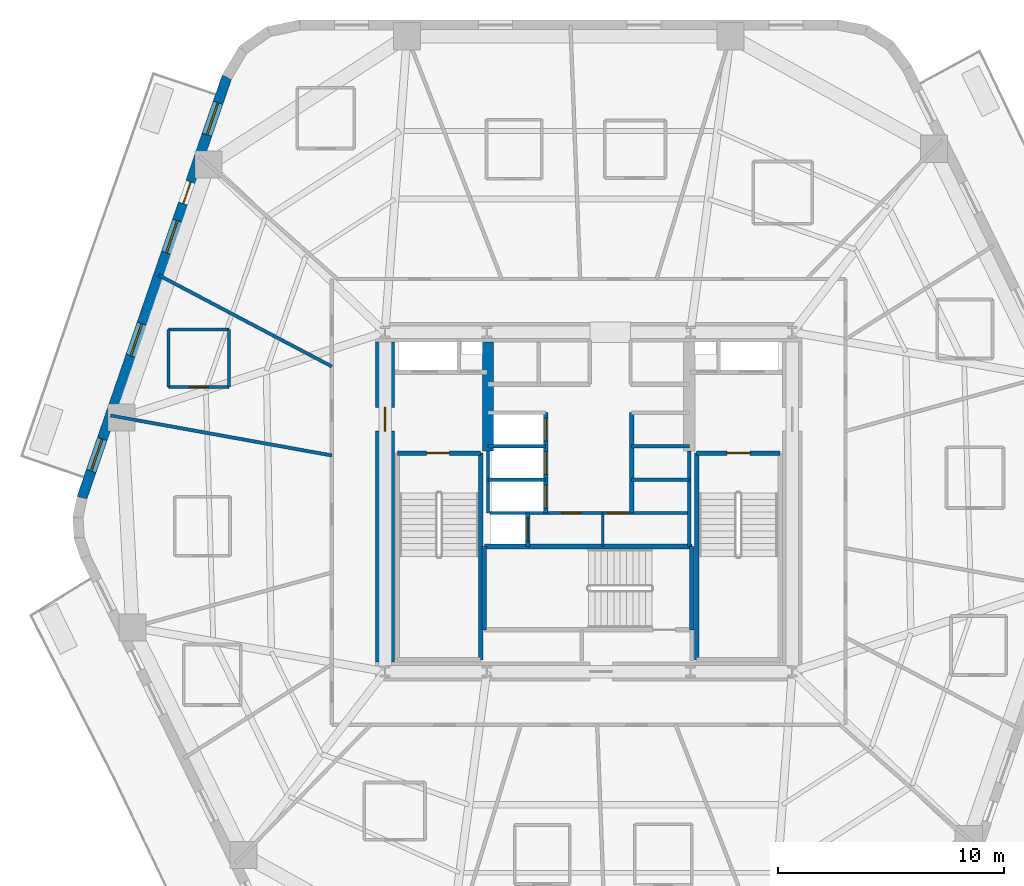
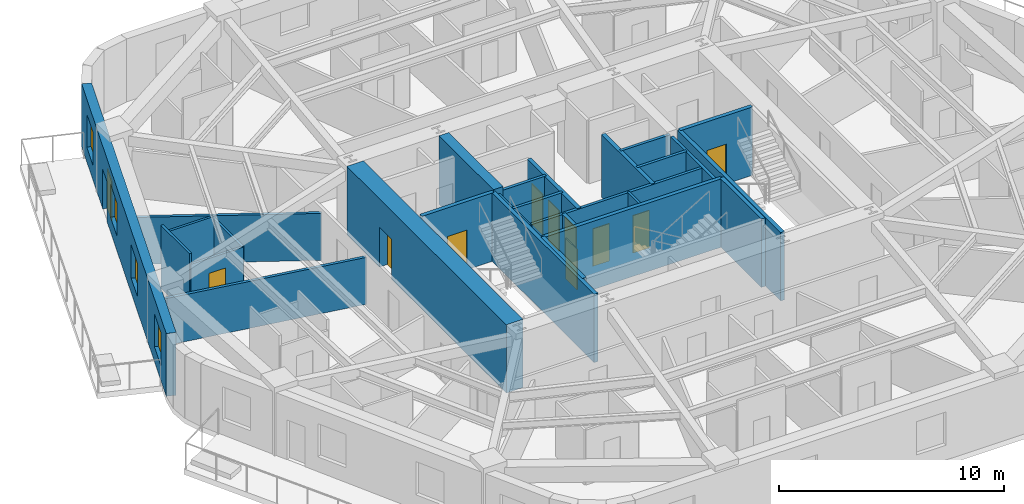
# One storey, part 4 of 10: 27 walls, 11 doors, 4 windows, 15 openings.
"""IFC4 building model written with IfcOpenShell, lengths in metres."""

from ifc_helpers import new_model, si_unit, direction, frame, frame_2d, origin, place, context, subcontext, project, spatial, rectangle, extrude, material, layer, layer_set, type_object, element, fill, save


model = new_model("IFC4")

# Units and contexts
model_context = context("Model", 3, precision=1e-05, world=origin(), true_north=direction((0.0, 1.0)))
body_context = subcontext(model_context, "Body", "Model", "MODEL_VIEW")
ifc_project = project(units=[si_unit("LENGTHUNIT", "METRE"), si_unit("AREAUNIT", "SQUARE_METRE"), si_unit("VOLUMEUNIT", "CUBIC_METRE"), si_unit("PLANEANGLEUNIT", "RADIAN"), si_unit("MASSUNIT", "GRAM", prefix="KILO")], contexts=[model_context])

# Site, building, storey
site_placement = place(None, origin())
site = spatial("IfcSite", under=ifc_project, at=site_placement, CompositionType="ELEMENT")
building_placement = place(site_placement, origin())
building = spatial("IfcBuilding", under=site, at=building_placement, Name="Kilnhurst Terrace Hotel", CompositionType="ELEMENT")
storey_placement = place(building_placement, frame((0.0, 0.0, 117.300048828125)))
storey = spatial("IfcBuildingStorey", under=building, at=storey_placement, Name="L28", CompositionType="ELEMENT", Elevation=117.300048828125)

# Wall, openings, door, windows
ifc_material_1 = material(Name="Precast concrete C40/50", Category="concrete")
ifc_layer_1 = layer(ifc_material_1, 0.449951171875, Name="Precast concrete C40/50")
ifc_layer_set_1 = layer_set([ifc_layer_1], Name="Precast concrete C40/50")
wall_type_1 = type_object("IfcWallType", Name="WL-BRK-450", PredefinedType="SOLIDWALL", material=ifc_layer_set_1)
wall_1_placement = place(storey_placement, frame((-15.992431640625, 18.77685546875, 0.0), z_axis=(0.0, 0.0, 1.0), x_axis=(-0.325606988926, -0.945505202927, 0.0)))
wall_1 = element("IfcWall", 1, at=wall_1_placement, inside=storey, type_object=wall_type_1, Name="L28 Exterior Brick Facade Wall F5", PredefinedType="SOLIDWALL", context=body_context, shape_type="SweptSolid", body=[
    extrude(rectangle(XDim=19.66943359375, YDim=0.449951171875, at=frame_2d((9.834716796875, 0.0))), origin(), (0.0, 0.0, 1.0), 3.39990234375),
])
opening_1_placement = place(wall_1_placement, frame((4.908935546875, 0.0, 0.0)))
opening_1 = element("IfcOpeningElement", 2, at=opening_1_placement, cuts=wall_1, Name="Opening BD-1000", PredefinedType="OPENING", context=body_context, shape_type="SweptSolid", body=[
    extrude(rectangle(XDim=1.0, YDim=2.14990234375, at=frame_2d((0.5, 1.074951171875))), frame((0.0, 0.23486328125, 0.0), z_axis=(0.0, -1.0, 0.0), x_axis=(1.0, 0.0, 0.0)), (0.0, 0.0, 1.0), 0.469970703125),
])
opening_2_placement = place(wall_1_placement, frame((1.197021484375, 0.0, 0.800048828125)))
opening_2 = element("IfcOpeningElement", 3, at=opening_2_placement, cuts=wall_1, Name="Opening W-02", PredefinedType="OPENING", context=body_context, shape_type="SweptSolid", body=[
    extrude(rectangle(XDim=1.5, YDim=1.800048828125, at=frame_2d((0.75, 0.89990234375))), frame((0.0, 0.23486328125, 0.0), z_axis=(0.0, -1.0, 0.0), x_axis=(1.0, 0.0, 0.0)), (0.0, 0.0, 1.0), 0.469970703125),
])
opening_3_placement = place(wall_1_placement, frame((6.714111328125, 0.0, 0.800048828125)))
opening_3 = element("IfcOpeningElement", 4, at=opening_3_placement, cuts=wall_1, Name="Opening W-02", PredefinedType="OPENING", context=body_context, shape_type="SweptSolid", body=[
    extrude(rectangle(XDim=1.5, YDim=1.800048828125, at=frame_2d((0.75, 0.89990234375))), frame((0.0, 0.23486328125, 0.0), z_axis=(0.0, -1.0, 0.0), x_axis=(1.0, 0.0, 0.0)), (0.0, 0.0, 1.0), 0.469970703125),
])
opening_4_placement = place(wall_1_placement, frame((11.530029296875, 0.0, 0.800048828125)))
opening_4 = element("IfcOpeningElement", 5, at=opening_4_placement, cuts=wall_1, Name="Opening W-02", PredefinedType="OPENING", context=body_context, shape_type="SweptSolid", body=[
    extrude(rectangle(XDim=1.5, YDim=1.800048828125, at=frame_2d((0.75, 0.89990234375))), frame((0.0, 0.23486328125, 0.0), z_axis=(0.0, -1.0, 0.0), x_axis=(1.0, 0.0, 0.0)), (0.0, 0.0, 1.0), 0.469970703125),
])
opening_5_placement = place(wall_1_placement, frame((16.91796875, 0.0, 0.800048828125)))
opening_5 = element("IfcOpeningElement", 6, at=opening_5_placement, cuts=wall_1, Name="Opening W-02", PredefinedType="OPENING", context=body_context, shape_type="SweptSolid", body=[
    extrude(rectangle(XDim=1.5, YDim=1.800048828125, at=frame_2d((0.75, 0.89990234375))), frame((0.0, 0.23486328125, 0.0), z_axis=(0.0, -1.0, 0.0), x_axis=(1.0, 0.0, 0.0)), (0.0, 0.0, 1.0), 0.469970703125),
])
ifc_material_2 = material(Name="Thermally Broken Bronze Aluminium Alloy 6063-T6 and Laminated Glass", Category="aluminium")
door_type_1 = type_object("IfcDoorType", Name="DR-EXT-BAL-1000", OperationType="NOTDEFINED", PredefinedType="DOOR", material=ifc_material_2)
door_1_placement = place(opening_1_placement, origin())
door_1 = element("IfcDoor", 7, at=door_1_placement, inside=storey, type_object=door_type_1, Name="L28 Planted Balcony Door BAL-L2A", OperationType="SINGLE_SWING_LEFT", OverallHeight=2.14990234375, OverallWidth=1.0, PredefinedType="DOOR", context=body_context, shape_type="SweptSolid", body=[
    extrude(rectangle(XDim=1.0, YDim=2.14990234375, at=frame_2d((0.5, 1.074951171875))), frame((0.0, 0.02490234375, 0.0), z_axis=(0.0, -1.0, 0.0), x_axis=(1.0, 0.0, 0.0)), (0.0, 0.0, 1.0), 0.050048828125),
])
fill(opening_1, door_1)
ifc_material_3 = material(Name="Thermally Broken Bronze Aluminium Alloy 6063-T6 and Low-E Glass", Category="aluminium")
window_type = type_object("IfcWindowType", Name="WIN-1500X1800", PartitioningType="SINGLE_PANEL", PredefinedType="WINDOW", material=ifc_material_3)
window_1_placement = place(opening_2_placement, origin())
window_1 = element("IfcWindow", 8, at=window_1_placement, inside=storey, type_object=window_type, Name="L28 Deep-Set Masonry Window F5.1", OverallHeight=1.800048828125, OverallWidth=1.5, PartitioningType="SINGLE_PANEL", PredefinedType="WINDOW", context=body_context, shape_type="SweptSolid", body=[
    extrude(rectangle(XDim=1.5, YDim=1.800048828125, at=frame_2d((0.75, 0.89990234375))), frame((0.0, 0.030029296875, 0.0), z_axis=(0.0, -1.0, 0.0), x_axis=(1.0, 0.0, 0.0)), (0.0, 0.0, 1.0), 0.06005859375),
])
fill(opening_2, window_1)
window_2_placement = place(opening_3_placement, origin())
window_2 = element("IfcWindow", 9, at=window_2_placement, inside=storey, type_object=window_type, Name="L28 Deep-Set Masonry Window F5.2", OverallHeight=1.800048828125, OverallWidth=1.5, PartitioningType="SINGLE_PANEL", PredefinedType="WINDOW", context=body_context, shape_type="SweptSolid", body=[
    extrude(rectangle(XDim=1.5, YDim=1.800048828125, at=frame_2d((0.75, 0.89990234375))), frame((0.0, 0.030029296875, 0.0), z_axis=(0.0, -1.0, 0.0), x_axis=(1.0, 0.0, 0.0)), (0.0, 0.0, 1.0), 0.06005859375),
])
fill(opening_3, window_2)
window_3_placement = place(opening_4_placement, origin())
window_3 = element("IfcWindow", 10, at=window_3_placement, inside=storey, type_object=window_type, Name="L28 Deep-Set Masonry Window F5.3", OverallHeight=1.800048828125, OverallWidth=1.5, PartitioningType="SINGLE_PANEL", PredefinedType="WINDOW", context=body_context, shape_type="SweptSolid", body=[
    extrude(rectangle(XDim=1.5, YDim=1.800048828125, at=frame_2d((0.75, 0.89990234375))), frame((0.0, 0.030029296875, 0.0), z_axis=(0.0, -1.0, 0.0), x_axis=(1.0, 0.0, 0.0)), (0.0, 0.0, 1.0), 0.06005859375),
])
fill(opening_4, window_3)
window_4_placement = place(opening_5_placement, origin())
window_4 = element("IfcWindow", 11, at=window_4_placement, inside=storey, type_object=window_type, Name="L28 Deep-Set Masonry Window F5.4", OverallHeight=1.800048828125, OverallWidth=1.5, PartitioningType="SINGLE_PANEL", PredefinedType="WINDOW", context=body_context, shape_type="SweptSolid", body=[
    extrude(rectangle(XDim=1.5, YDim=1.800048828125, at=frame_2d((0.75, 0.89990234375))), frame((0.0, 0.030029296875, 0.0), z_axis=(0.0, -1.0, 0.0), x_axis=(1.0, 0.0, 0.0)), (0.0, 0.0, 1.0), 0.06005859375),
])
fill(opening_5, window_4)

# Wall, opening, door
ifc_material_4 = material(Name="Concrete C80/95", Category="concrete")
ifc_layer_2 = layer(ifc_material_4, 0.85009765625, Name="Concrete C80/95")
ifc_layer_set_2 = layer_set([ifc_layer_2], Name="Concrete C80/95")
wall_type_2 = type_object("IfcWallType", Name="WL-CORE-850", PredefinedType="SHEAR", material=ifc_layer_set_2)
wall_2_placement = place(storey_placement, frame((-9.0, -7.074951171875, 0.0), z_axis=(0.0, 0.0, 1.0), x_axis=(0.0, 1.0, 0.0)))
wall_2 = element("IfcWall", 12, at=wall_2_placement, inside=storey, type_object=wall_type_2, Name="L28 Core West Shear Wall", PredefinedType="SHEAR", context=body_context, shape_type="SweptSolid", body=[
    extrude(rectangle(XDim=14.14990234375, YDim=0.85009765625, at=frame_2d((7.074951171875, 0.0))), origin(), (0.0, 0.0, 1.0), 3.699951171875),
])
opening_6_placement = place(wall_2_placement, frame((10.199951171875, 0.0, 0.0)))
opening_6 = element("IfcOpeningElement", 13, at=opening_6_placement, cuts=wall_2, Name="Opening D-90A", PredefinedType="OPENING", context=body_context, shape_type="SweptSolid", body=[
    extrude(rectangle(XDim=1.050048828125, YDim=2.14990234375, at=frame_2d((0.52490234375, 1.074951171875))), frame((0.0, 0.43505859375, 0.0), z_axis=(0.0, -1.0, 0.0), x_axis=(1.0, 0.0, 0.0)), (0.0, 0.0, 1.0), 0.8701171875),
])
ifc_material_5 = material(Name="Painted Hollow Metal Steel ASTM A36 Fire Door", Category="steel")
door_type_2 = type_object("IfcDoorType", Name="DR-FD90-1050", OperationType="NOTDEFINED", PredefinedType="DOOR", material=ifc_material_5)
door_2_placement = place(opening_6_placement, origin())
door_2 = element("IfcDoor", 14, at=door_2_placement, inside=storey, type_object=door_type_2, Name="L28 West Firefighting Lobby Door", OperationType="SINGLE_SWING_RIGHT", OverallHeight=2.14990234375, OverallWidth=1.050048828125, PredefinedType="DOOR", context=body_context, shape_type="SweptSolid", body=[
    extrude(rectangle(XDim=1.050048828125, YDim=2.14990234375, at=frame_2d((0.52490234375, 1.074951171875))), frame((0.0, 0.02490234375, 0.0), z_axis=(0.0, -1.0, 0.0), x_axis=(1.0, 0.0, 0.0)), (0.0, 0.0, 1.0), 0.050048828125),
])
fill(opening_6, door_2)

# Walls
ifc_material_6 = material(Name="Concrete C60/75", Category="concrete")
ifc_layer_3 = layer(ifc_material_6, 0.5, Name="Concrete C60/75")
ifc_layer_set_3 = layer_set([ifc_layer_3], Name="Concrete C60/75")
wall_type_3 = type_object("IfcWallType", Name="WL-CORE-WEB-500", PredefinedType="SHEAR", material=ifc_layer_set_3)
wall_3_placement = place(storey_placement, frame((-4.449951171875, 2.25, 0.0), z_axis=(0.0, 0.0, 1.0), x_axis=(0.0, 1.0, 0.0)))
element("IfcWall", 15, at=wall_3_placement, inside=storey, type_object=wall_type_3, Name="L28 Core Internal West Shear Web", PredefinedType="SHEAR", context=body_context, shape_type="SweptSolid", body=[
    extrude(rectangle(XDim=4.824951171875, YDim=0.5, at=frame_2d((2.41259765625, 0.0))), origin(), (0.0, 0.0, 1.0), 3.699951171875),
])
ifc_material_7 = material(Name="STC-58 Acoustic Twin-Frame Guestroom Demising Partition")
ifc_layer_4 = layer(ifc_material_7, 0.14990234375, Name="STC-58 Acoustic Twin-Frame Guestroom Demising Partition")
ifc_layer_set_4 = layer_set([ifc_layer_4], Name="STC-58 Acoustic Twin-Frame Guestroom Demising Partition")
wall_type_4 = type_object("IfcWallType", Name="WL-DEM-150", PredefinedType="PARTITIONING", material=ifc_layer_set_4)
wall_4_placement = place(storey_placement, frame((-11.35009765625, 5.9833984375, 0.0), z_axis=(0.0, 0.0, 1.0), x_axis=(-0.884597447182, 0.466355397137, 0.0)))
element("IfcWall", 16, at=wall_4_placement, inside=storey, type_object=wall_type_4, Name="L28 Interior Wall WL-L28-DEM-MID05-08-1", PredefinedType="PARTITIONING", context=body_context, shape_type="SweptSolid", body=[
    extrude(rectangle(XDim=8.65673828125, YDim=0.14990234375, at=frame_2d((4.328369140625, 0.0))), origin(), (0.0, 0.0, 1.0), 2.5400390625),
])
wall_5_placement = place(storey_placement, frame((-11.35009765625, 2.05078125, 0.0), z_axis=(0.0, 0.0, 1.0), x_axis=(-0.984068313063, 0.177790762484, 0.0)))
element("IfcWall", 17, at=wall_5_placement, inside=storey, type_object=wall_type_4, Name="L28 Interior Wall WL-L28-DEM-COL06-09-1", PredefinedType="PARTITIONING", context=body_context, shape_type="SweptSolid", body=[
    extrude(rectangle(XDim=9.951416015625, YDim=0.14990234375, at=frame_2d((4.9755859375, 0.0))), origin(), (0.0, 0.0, 1.0), 2.5400390625),
])
ifc_material_8 = material(Name="120 mm Moisture-Resistant Tile-Backed Bathroom Partition")
ifc_layer_5 = layer(ifc_material_8, 0.1201171875, Name="120 mm Moisture-Resistant Tile-Backed Bathroom Partition")
ifc_layer_set_5 = layer_set([ifc_layer_5], Name="120 mm Moisture-Resistant Tile-Backed Bathroom Partition")
wall_type_5 = type_object("IfcWallType", Name="WL-PART-120", PredefinedType="PARTITIONING", material=ifc_layer_set_5)
wall_6_placement = place(storey_placement, frame((0.6201171875, -1.971923828125, 0.0), z_axis=(0.0, 0.0, 1.0), x_axis=(0.0, 1.0, 0.0)))
element("IfcWall", 18, at=wall_6_placement, inside=storey, type_object=wall_type_5, Name="L28 Interior Wall WL-L28-BOH-C1", PredefinedType="PARTITIONING", context=body_context, shape_type="SweptSolid", body=[
    extrude(rectangle(XDim=1.471923828125, YDim=0.1201171875, at=frame_2d((0.73583984375, 0.0))), origin(), (0.0, 0.0, 1.0), 3.39990234375),
])

# Wall, opening, door
wall_7_placement = place(storey_placement, frame((-18.574951171875, 5.0810546875, 0.0), z_axis=(0.0, 0.0, 1.0), x_axis=(1.0, 0.0, 0.0)))
wall_7 = element("IfcWall", 19, at=wall_7_placement, inside=storey, type_object=wall_type_5, Name="L28 Interior Wall WL-L28-BTH-08-1", PredefinedType="PARTITIONING", context=body_context, shape_type="SweptSolid", body=[
    extrude(rectangle(XDim=2.679931640625, YDim=0.1201171875, at=frame_2d((1.33984375, 0.0))), origin(), (0.0, 0.0, 1.0), 2.83984375),
])
opening_7_placement = place(wall_7_placement, frame((0.9150390625, 0.0, 0.0)))
opening_7 = element("IfcOpeningElement", 20, at=opening_7_placement, cuts=wall_7, Name="Opening D-08A", PredefinedType="OPENING", context=body_context, shape_type="SweptSolid", body=[
    extrude(rectangle(XDim=0.85009765625, YDim=2.030029296875, at=frame_2d((0.425048828125, 1.01513671875))), frame((0.0, 0.070068359375, 0.0), z_axis=(0.0, -1.0, 0.0), x_axis=(1.0, 0.0, 0.0)), (0.0, 0.0, 1.0), 0.14013671875),
])
ifc_material_9 = material(Name="Moisture-Resistant Lacquered En-suite Bathroom Door")
door_type_3 = type_object("IfcDoorType", Name="DR-INT-850", OperationType="NOTDEFINED", PredefinedType="DOOR", material=ifc_material_9)
door_3_placement = place(opening_7_placement, origin())
door_3 = element("IfcDoor", 21, at=door_3_placement, inside=storey, type_object=door_type_3, Name="L28 En-suite Bathroom Door 8", OperationType="SINGLE_SWING_LEFT", OverallHeight=2.030029296875, OverallWidth=0.85009765625, PredefinedType="DOOR", context=body_context, shape_type="SweptSolid", body=[
    extrude(rectangle(XDim=0.85009765625, YDim=2.030029296875, at=frame_2d((0.425048828125, 1.01513671875))), frame((0.0, 0.02490234375, 0.0), z_axis=(0.0, -1.0, 0.0), x_axis=(1.0, 0.0, 0.0)), (0.0, 0.0, 1.0), 0.050048828125),
])
fill(opening_7, door_3)

# Walls
wall_8_placement = place(storey_placement, frame((-15.89501953125, 5.0810546875, 0.0), z_axis=(0.0, 0.0, 1.0), x_axis=(0.0, 1.0, 0.0)))
element("IfcWall", 22, at=wall_8_placement, inside=storey, type_object=wall_type_5, Name="L28 Interior Wall WL-L28-BTH-08-2", PredefinedType="PARTITIONING", context=body_context, shape_type="SweptSolid", body=[
    extrude(rectangle(XDim=2.5400390625, YDim=0.1201171875, at=frame_2d((1.27001953125, 0.0))), origin(), (0.0, 0.0, 1.0), 2.83984375),
])
wall_9_placement = place(storey_placement, frame((-15.89501953125, 7.62109375, 0.0), z_axis=(0.0, 0.0, 1.0), x_axis=(-1.0, 0.0, 0.0)))
element("IfcWall", 23, at=wall_9_placement, inside=storey, type_object=wall_type_5, Name="L28 Interior Wall WL-L28-BTH-08-3", PredefinedType="PARTITIONING", context=body_context, shape_type="SweptSolid", body=[
    extrude(rectangle(XDim=2.679931640625, YDim=0.1201171875, at=frame_2d((1.33984375, 0.0))), origin(), (0.0, 0.0, 1.0), 2.97216796875),
])
wall_10_placement = place(storey_placement, frame((-18.574951171875, 7.62109375, 0.0), z_axis=(0.0, 0.0, 1.0), x_axis=(0.0, -1.0, 0.0)))
element("IfcWall", 24, at=wall_10_placement, inside=storey, type_object=wall_type_5, Name="L28 Interior Wall WL-L28-BTH-08-4", PredefinedType="PARTITIONING", context=body_context, shape_type="SweptSolid", body=[
    extrude(rectangle(XDim=2.5400390625, YDim=0.1201171875, at=frame_2d((1.27001953125, 0.0))), origin(), (0.0, 0.0, 1.0), 3.39990234375),
])
ifc_material_10 = material(Name="Fire-Rated Gypsum Shaftliner Assembly")
ifc_layer_6 = layer(ifc_material_10, 0.14990234375, Name="Fire-Rated Gypsum Shaftliner Assembly")
ifc_layer_set_6 = layer_set([ifc_layer_6], Name="Fire-Rated Gypsum Shaftliner Assembly")
wall_type_6 = type_object("IfcWallType", Name="WL-SHAFT-150", PredefinedType="PARTITIONING", material=ifc_layer_set_6)
wall_11_placement = place(storey_placement, frame((-4.449951171875, -0.5, 0.0), z_axis=(0.0, 0.0, 1.0), x_axis=(0.0, 1.0, 0.0)))
element("IfcWall", 25, at=wall_11_placement, inside=storey, type_object=wall_type_6, Name="L28 Interior Wall WL-L28-XLOB-W", PredefinedType="PARTITIONING", context=body_context, shape_type="SweptSolid", body=[
    extrude(rectangle(XDim=2.75, YDim=0.14990234375, at=frame_2d((1.375, 0.0))), origin(), (0.0, 0.0, 1.0), 3.39990234375),
])
wall_12_placement = place(storey_placement, frame((4.449951171875, -1.971923828125, 0.0), z_axis=(0.0, 0.0, 1.0), x_axis=(0.0, 1.0, 0.0)))
element("IfcWall", 26, at=wall_12_placement, inside=storey, type_object=wall_type_6, Name="L28 Interior Wall WL-L28-XLOB-E", PredefinedType="PARTITIONING", context=body_context, shape_type="SweptSolid", body=[
    extrude(rectangle(XDim=4.221923828125, YDim=0.14990234375, at=frame_2d((2.11083984375, 0.0))), origin(), (0.0, 0.0, 1.0), 3.39990234375),
])
for number, where, z_axis, x_axis, name in (
    (27, (-4.449951171875, 0.97998046875, 0.0), (0.0, 0.0, 1.0), (1.0, 0.0, 0.0), "L28 Interior Wall WL-L28-LR-D1"),
    (28, (-4.449951171875, 2.4599609375, 0.0), (0.0, 0.0, 1.0), (1.0, 0.0, 0.0), "L28 Interior Wall WL-L28-LR-D2"),
    (29, (1.89990234375, 0.97998046875, 0.0), (0.0, 0.0, 1.0), (1.0, 0.0, 0.0), "L28 Interior Wall WL-L28-MR-D1"),
    (30, (1.89990234375, 2.4599609375, 0.0), (0.0, 0.0, 1.0), (1.0, 0.0, 0.0), "L28 Interior Wall WL-L28-MR-D2"),
):
    element("IfcWall", number, at=place(storey_placement, frame(where, z_axis=z_axis, x_axis=x_axis)), inside=storey, type_object=wall_type_6, Name=name, PredefinedType="PARTITIONING", context=body_context, shape_type="SweptSolid", body=[
        extrude(rectangle(XDim=2.550048828125, YDim=0.14990234375, at=frame_2d((1.27490234375, 0.0))), origin(), (0.0, 0.0, 1.0), 3.39990234375),
    ])

# Wall, openings, doors
wall_13_placement = place(storey_placement, frame((-4.360107421875, -0.489990234375, 0.0), z_axis=(0.0, 0.0, 1.0), x_axis=(1.0, 0.0, 0.0)))
wall_13 = element("IfcWall", 31, at=wall_13_placement, inside=storey, type_object=wall_type_6, Name="L28 Interior Wall WL-L28-BOH-N", PredefinedType="PARTITIONING", context=body_context, shape_type="SweptSolid", body=[
    extrude(rectangle(XDim=8.72021484375, YDim=0.14990234375, at=frame_2d((4.360107421875, 0.0))), origin(), (0.0, 0.0, 1.0), 3.39990234375),
])
opening_8_placement = place(wall_13_placement, frame((3.159912109375, 0.0, 0.0)))
opening_8 = element("IfcOpeningElement", 32, at=opening_8_placement, cuts=wall_13, Name="Opening D-60D", PredefinedType="OPENING", context=body_context, shape_type="SweptSolid", body=[
    extrude(rectangle(XDim=0.85009765625, YDim=2.030029296875, at=frame_2d((0.425048828125, 1.01513671875))), frame((0.0, 0.0849609375, 0.0), z_axis=(0.0, -1.0, 0.0), x_axis=(1.0, 0.0, 0.0)), (0.0, 0.0, 1.0), 0.169921875),
])
opening_9_placement = place(wall_13_placement, frame((5.2099609375, 0.0, 0.0)))
opening_9 = element("IfcOpeningElement", 33, at=opening_9_placement, cuts=wall_13, Name="Opening D-60D", PredefinedType="OPENING", context=body_context, shape_type="SweptSolid", body=[
    extrude(rectangle(XDim=0.85009765625, YDim=2.030029296875, at=frame_2d((0.425048828125, 1.01513671875))), frame((0.0, 0.0849609375, 0.0), z_axis=(0.0, -1.0, 0.0), x_axis=(1.0, 0.0, 0.0)), (0.0, 0.0, 1.0), 0.169921875),
])
ifc_material_11 = material(Name="Painted Hollow Metal Steel ASTM A36 Riser Door", Category="steel")
door_type_4 = type_object("IfcDoorType", Name="DR-FD60-850", OperationType="NOTDEFINED", PredefinedType="DOOR", material=ifc_material_11)
door_4_placement = place(opening_8_placement, origin())
door_4 = element("IfcDoor", 34, at=door_4_placement, inside=storey, type_object=door_type_4, Name="L28 Housekeeping Laundry Door", OperationType="SINGLE_SWING_LEFT", OverallHeight=2.030029296875, OverallWidth=0.85009765625, PredefinedType="DOOR", context=body_context, shape_type="SweptSolid", body=[
    extrude(rectangle(XDim=0.85009765625, YDim=2.030029296875, at=frame_2d((0.425048828125, 1.01513671875))), frame((0.0, 0.02490234375, 0.0), z_axis=(0.0, -1.0, 0.0), x_axis=(1.0, 0.0, 0.0)), (0.0, 0.0, 1.0), 0.050048828125),
])
fill(opening_8, door_4)
door_5_placement = place(opening_9_placement, origin())
door_5 = element("IfcDoor", 35, at=door_5_placement, inside=storey, type_object=door_type_4, Name="L28 Room Service Kitchen Door", OperationType="SINGLE_SWING_RIGHT", OverallHeight=2.030029296875, OverallWidth=0.85009765625, PredefinedType="DOOR", context=body_context, shape_type="SweptSolid", body=[
    extrude(rectangle(XDim=0.85009765625, YDim=2.030029296875, at=frame_2d((0.425048828125, 1.01513671875))), frame((0.0, 0.02490234375, 0.0), z_axis=(0.0, -1.0, 0.0), x_axis=(1.0, 0.0, 0.0)), (0.0, 0.0, 1.0), 0.050048828125),
])
fill(opening_9, door_5)

# Wall, opening, door
ifc_material_12 = material(Name="Autoclaved Aerated Concrete C30/37 and Gypsum Shaft Assembly", Category="concrete")
ifc_layer_7 = layer(ifc_material_12, 0.199951171875, Name="Autoclaved Aerated Concrete C30/37 and Gypsum Shaft Assembly")
ifc_layer_set_7 = layer_set([ifc_layer_7], Name="Autoclaved Aerated Concrete C30/37 and Gypsum Shaft Assembly")
wall_type_7 = type_object("IfcWallType", Name="WL-SHAFT-200", PredefinedType="PARTITIONING", material=ifc_layer_set_7)
wall_14_placement = place(storey_placement, frame((-2.699951171875, -1.971923828125, 0.0), z_axis=(0.0, 0.0, 1.0), x_axis=(0.0, 1.0, 0.0)))
wall_14 = element("IfcWall", 36, at=wall_14_placement, inside=storey, type_object=wall_type_7, Name="L28 Interior Wall WL-L28-SRV1-E", PredefinedType="PARTITIONING", context=body_context, shape_type="SweptSolid", body=[
    extrude(rectangle(XDim=1.471923828125, YDim=0.199951171875, at=frame_2d((0.73583984375, 0.0))), origin(), (0.0, 0.0, 1.0), 3.39990234375),
])
opening_10_placement = place(wall_14_placement, frame((0.239990234375, 0.0, 0.0)))
opening_10 = element("IfcOpeningElement", 37, at=opening_10_placement, cuts=wall_14, Name="Opening LD-SV", PredefinedType="OPENING", context=body_context, shape_type="SweptSolid", body=[
    extrude(rectangle(XDim=1.0, YDim=2.199951171875, at=frame_2d((0.5, 1.10009765625))), frame((0.0, 0.10986328125, 0.0), z_axis=(0.0, -1.0, 0.0), x_axis=(1.0, 0.0, 0.0)), (0.0, 0.0, 1.0), 0.219970703125),
])
ifc_material_13 = material(Name="Bronze-Anodized Stainless Steel AISI 316L Sliding Door", Category="steel")
door_type_5 = type_object("IfcDoorType", Name="DR-LIFT-1000", OperationType="NOTDEFINED", PredefinedType="DOOR", material=ifc_material_13)
door_6_placement = place(opening_10_placement, origin())
door_6 = element("IfcDoor", 38, at=door_6_placement, inside=storey, type_object=door_type_5, Name="L28 Service Lift SRV-1 Landing Door", OperationType="SLIDING_TO_LEFT", OverallHeight=2.199951171875, OverallWidth=1.0, PredefinedType="DOOR", context=body_context, shape_type="SweptSolid", body=[
    extrude(rectangle(XDim=1.0, YDim=2.199951171875, at=frame_2d((0.5, 1.10009765625))), frame((0.0, 0.02490234375, 0.0), z_axis=(0.0, -1.0, 0.0), x_axis=(1.0, 0.0, 0.0)), (0.0, 0.0, 1.0), 0.050048828125),
])
fill(opening_10, door_6)

# Wall, openings, doors
wall_15_placement = place(storey_placement, frame((-1.89990234375, -0.5, 0.0), z_axis=(0.0, 0.0, 1.0), x_axis=(0.0, 1.0, 0.0)))
wall_15 = element("IfcWall", 39, at=wall_15_placement, inside=storey, type_object=wall_type_7, Name="L28 Interior Wall WL-L28-LR-FRONT", PredefinedType="PARTITIONING", context=body_context, shape_type="SweptSolid", body=[
    extrude(rectangle(XDim=4.43994140625, YDim=0.199951171875, at=frame_2d((2.219970703125, 0.0))), origin(), (0.0, 0.0, 1.0), 3.39990234375),
])
opening_11_placement = place(wall_15_placement, frame((0.239990234375, 0.0, 0.0)))
opening_11 = element("IfcOpeningElement", 40, at=opening_11_placement, cuts=wall_15, Name="Opening LD-LR", PredefinedType="OPENING", context=body_context, shape_type="SweptSolid", body=[
    extrude(rectangle(XDim=1.0, YDim=2.199951171875, at=frame_2d((0.5, 1.10009765625))), frame((0.0, 0.10986328125, 0.0), z_axis=(0.0, -1.0, 0.0), x_axis=(1.0, 0.0, 0.0)), (0.0, 0.0, 1.0), 0.219970703125),
])
opening_12_placement = place(wall_15_placement, frame((1.719970703125, 0.0, 0.0)))
opening_12 = element("IfcOpeningElement", 41, at=opening_12_placement, cuts=wall_15, Name="Opening LD-LR", PredefinedType="OPENING", context=body_context, shape_type="SweptSolid", body=[
    extrude(rectangle(XDim=1.0, YDim=2.199951171875, at=frame_2d((0.5, 1.10009765625))), frame((0.0, 0.10986328125, 0.0), z_axis=(0.0, -1.0, 0.0), x_axis=(1.0, 0.0, 0.0)), (0.0, 0.0, 1.0), 0.219970703125),
])
opening_13_placement = place(wall_15_placement, frame((3.199951171875, 0.0, 0.0)))
opening_13 = element("IfcOpeningElement", 42, at=opening_13_placement, cuts=wall_15, Name="Opening LD-LR", PredefinedType="OPENING", context=body_context, shape_type="SweptSolid", body=[
    extrude(rectangle(XDim=1.0, YDim=2.199951171875, at=frame_2d((0.5, 1.10009765625))), frame((0.0, 0.10986328125, 0.0), z_axis=(0.0, -1.0, 0.0), x_axis=(1.0, 0.0, 0.0)), (0.0, 0.0, 1.0), 0.219970703125),
])
door_7_placement = place(opening_11_placement, origin())
door_7 = element("IfcDoor", 43, at=door_7_placement, inside=storey, type_object=door_type_5, Name="L28 Low Rise Lift LR-1 Landing Door", OperationType="SLIDING_TO_LEFT", OverallHeight=2.199951171875, OverallWidth=1.0, PredefinedType="DOOR", context=body_context, shape_type="SweptSolid", body=[
    extrude(rectangle(XDim=1.0, YDim=2.199951171875, at=frame_2d((0.5, 1.10009765625))), frame((0.0, 0.02490234375, 0.0), z_axis=(0.0, -1.0, 0.0), x_axis=(1.0, 0.0, 0.0)), (0.0, 0.0, 1.0), 0.050048828125),
])
fill(opening_11, door_7)
door_8_placement = place(opening_12_placement, origin())
door_8 = element("IfcDoor", 44, at=door_8_placement, inside=storey, type_object=door_type_5, Name="L28 Low Rise Lift LR-2 Landing Door", OperationType="SLIDING_TO_LEFT", OverallHeight=2.199951171875, OverallWidth=1.0, PredefinedType="DOOR", context=body_context, shape_type="SweptSolid", body=[
    extrude(rectangle(XDim=1.0, YDim=2.199951171875, at=frame_2d((0.5, 1.10009765625))), frame((0.0, 0.02490234375, 0.0), z_axis=(0.0, -1.0, 0.0), x_axis=(1.0, 0.0, 0.0)), (0.0, 0.0, 1.0), 0.050048828125),
])
fill(opening_12, door_8)
door_9_placement = place(opening_13_placement, origin())
door_9 = element("IfcDoor", 45, at=door_9_placement, inside=storey, type_object=door_type_5, Name="L28 Low Rise Lift LR-3 Landing Door", OperationType="SLIDING_TO_LEFT", OverallHeight=2.199951171875, OverallWidth=1.0, PredefinedType="DOOR", context=body_context, shape_type="SweptSolid", body=[
    extrude(rectangle(XDim=1.0, YDim=2.199951171875, at=frame_2d((0.5, 1.10009765625))), frame((0.0, 0.02490234375, 0.0), z_axis=(0.0, -1.0, 0.0), x_axis=(1.0, 0.0, 0.0)), (0.0, 0.0, 1.0), 0.050048828125),
])
fill(opening_13, door_9)

# Walls
wall_16_placement = place(storey_placement, frame((1.89990234375, -0.5, 0.0), z_axis=(0.0, 0.0, 1.0), x_axis=(0.0, 1.0, 0.0)))
element("IfcWall", 46, at=wall_16_placement, inside=storey, type_object=wall_type_7, Name="L28 Interior Wall WL-L28-MR-FRONT", PredefinedType="PARTITIONING", context=body_context, shape_type="SweptSolid", body=[
    extrude(rectangle(XDim=4.43994140625, YDim=0.199951171875, at=frame_2d((2.219970703125, 0.0))), origin(), (0.0, 0.0, 1.0), 3.39990234375),
])
ifc_material_14 = material(Name="Concrete C50/60", Category="concrete")
ifc_layer_8 = layer(ifc_material_14, 0.199951171875, Name="Concrete C50/60")
ifc_layer_set_8 = layer_set([ifc_layer_8], Name="Concrete C50/60")
wall_type_8 = type_object("IfcWallType", Name="WL-STAIR-RC-200", PredefinedType="SHEAR", material=ifc_layer_set_8)
wall_17_placement = place(storey_placement, frame((-4.77197265625, -6.985107421875, 0.0), z_axis=(0.0, 0.0, 1.0), x_axis=(0.0, 1.0, 0.0)))
element("IfcWall", 47, at=wall_17_placement, inside=storey, type_object=wall_type_8, Name="L28 Structural Stair Shaft Wall WL-L28-ST1-E", PredefinedType="SHEAR", context=body_context, shape_type="SweptSolid", body=[
    extrude(rectangle(XDim=9.14306640625, YDim=0.199951171875, at=frame_2d((4.571533203125, 0.0))), origin(), (0.0, 0.0, 1.0), 3.699951171875),
])

# Wall, opening, door
wall_18_placement = place(storey_placement, frame((-8.4580078125, 2.157958984375, 0.0), z_axis=(0.0, 0.0, 1.0), x_axis=(1.0, 0.0, 0.0)))
wall_18 = element("IfcWall", 48, at=wall_18_placement, inside=storey, type_object=wall_type_8, Name="L28 Structural Stair Shaft Wall WL-L28-ST1-N", PredefinedType="SHEAR", context=body_context, shape_type="SweptSolid", body=[
    extrude(rectangle(XDim=3.68603515625, YDim=0.199951171875, at=frame_2d((1.843017578125, 0.0))), origin(), (0.0, 0.0, 1.0), 3.699951171875),
])
opening_14_placement = place(wall_18_placement, frame((1.300048828125, 0.0, 0.0)))
opening_14 = element("IfcOpeningElement", 49, at=opening_14_placement, cuts=wall_18, Name="Opening D-90B", PredefinedType="OPENING", context=body_context, shape_type="SweptSolid", body=[
    extrude(rectangle(XDim=1.0, YDim=2.14990234375, at=frame_2d((0.5, 1.074951171875))), frame((0.0, 0.10986328125, 0.0), z_axis=(0.0, -1.0, 0.0), x_axis=(1.0, 0.0, 0.0)), (0.0, 0.0, 1.0), 0.219970703125),
])
door_type_6 = type_object("IfcDoorType", Name="DR-FD90-1000", OperationType="NOTDEFINED", PredefinedType="DOOR", material=ifc_material_5)
door_10_placement = place(opening_14_placement, origin())
door_10 = element("IfcDoor", 50, at=door_10_placement, inside=storey, type_object=door_type_6, Name="L28 Stair ST-1 Door", OperationType="SINGLE_SWING_LEFT", OverallHeight=2.14990234375, OverallWidth=1.0, PredefinedType="DOOR", context=body_context, shape_type="SweptSolid", body=[
    extrude(rectangle(XDim=1.0, YDim=2.14990234375, at=frame_2d((0.5, 1.074951171875))), frame((0.0, 0.02490234375, 0.0), z_axis=(0.0, -1.0, 0.0), x_axis=(1.0, 0.0, 0.0)), (0.0, 0.0, 1.0), 0.050048828125),
])
fill(opening_14, door_10)

# Wall
wall_19_placement = place(storey_placement, frame((4.77197265625, -6.985107421875, 0.0), z_axis=(0.0, 0.0, 1.0), x_axis=(0.0, 1.0, 0.0)))
element("IfcWall", 51, at=wall_19_placement, inside=storey, type_object=wall_type_8, Name="L28 Structural Stair Shaft Wall WL-L28-ST2-W", PredefinedType="SHEAR", context=body_context, shape_type="SweptSolid", body=[
    extrude(rectangle(XDim=9.14306640625, YDim=0.199951171875, at=frame_2d((4.571533203125, 0.0))), origin(), (0.0, 0.0, 1.0), 3.699951171875),
])

# Wall, opening, door
wall_20_placement = place(storey_placement, frame((4.77197265625, 2.157958984375, 0.0), z_axis=(0.0, 0.0, 1.0), x_axis=(1.0, 0.0, 0.0)))
wall_20 = element("IfcWall", 52, at=wall_20_placement, inside=storey, type_object=wall_type_8, Name="L28 Structural Stair Shaft Wall WL-L28-ST2-N", PredefinedType="SHEAR", context=body_context, shape_type="SweptSolid", body=[
    extrude(rectangle(XDim=3.68603515625, YDim=0.199951171875, at=frame_2d((1.843017578125, 0.0))), origin(), (0.0, 0.0, 1.0), 3.699951171875),
])
opening_15_placement = place(wall_20_placement, frame((1.35009765625, 0.0, 0.0)))
opening_15 = element("IfcOpeningElement", 53, at=opening_15_placement, cuts=wall_20, Name="Opening D-90B", PredefinedType="OPENING", context=body_context, shape_type="SweptSolid", body=[
    extrude(rectangle(XDim=1.0, YDim=2.14990234375, at=frame_2d((0.5, 1.074951171875))), frame((0.0, 0.10986328125, 0.0), z_axis=(0.0, -1.0, 0.0), x_axis=(1.0, 0.0, 0.0)), (0.0, 0.0, 1.0), 0.219970703125),
])
door_11_placement = place(opening_15_placement, origin())
door_11 = element("IfcDoor", 54, at=door_11_placement, inside=storey, type_object=door_type_6, Name="L28 Stair ST-2 Door", OperationType="SINGLE_SWING_RIGHT", OverallHeight=2.14990234375, OverallWidth=1.0, PredefinedType="DOOR", context=body_context, shape_type="SweptSolid", body=[
    extrude(rectangle(XDim=1.0, YDim=2.14990234375, at=frame_2d((0.5, 1.074951171875))), frame((0.0, 0.02490234375, 0.0), z_axis=(0.0, -1.0, 0.0), x_axis=(1.0, 0.0, 0.0)), (0.0, 0.0, 1.0), 0.050048828125),
])
fill(opening_15, door_11)

# Walls
wall_21_placement = place(storey_placement, frame((-4.60791015625, -5.657958984375, 0.0), z_axis=(0.0, 0.0, 1.0), x_axis=(0.0, 1.0, 0.0)))
element("IfcWall", 55, at=wall_21_placement, inside=storey, type_object=wall_type_8, Name="L28 Structural Stair Shaft Wall WL-L28-ST3-W", PredefinedType="SHEAR", context=body_context, shape_type="SweptSolid", body=[
    extrude(rectangle(XDim=3.68603515625, YDim=0.199951171875, at=frame_2d((1.843017578125, 0.0))), origin(), (0.0, 0.0, 1.0), 3.699951171875),
])
wall_22_placement = place(storey_placement, frame((-4.60791015625, -1.971923828125, 0.0), z_axis=(0.0, 0.0, 1.0), x_axis=(1.0, 0.0, 0.0)))
element("IfcWall", 56, at=wall_22_placement, inside=storey, type_object=wall_type_8, Name="L28 Structural Stair Shaft Wall WL-L28-ST3-N", PredefinedType="SHEAR", context=body_context, shape_type="SweptSolid", body=[
    extrude(rectangle(XDim=9.166015625, YDim=0.199951171875, at=frame_2d((4.5830078125, 0.0))), origin(), (0.0, 0.0, 1.0), 3.699951171875),
])
wall_23_placement = place(storey_placement, frame((4.55810546875, -5.657958984375, 0.0), z_axis=(0.0, 0.0, 1.0), x_axis=(0.0, 1.0, 0.0)))
element("IfcWall", 57, at=wall_23_placement, inside=storey, type_object=wall_type_8, Name="L28 Structural Stair Shaft Wall WL-L28-ST3-E", PredefinedType="SHEAR", context=body_context, shape_type="SweptSolid", body=[
    extrude(rectangle(XDim=3.68603515625, YDim=0.199951171875, at=frame_2d((1.843017578125, 0.0))), origin(), (0.0, 0.0, 1.0), 3.699951171875),
])

save(model, "model.ifc")
